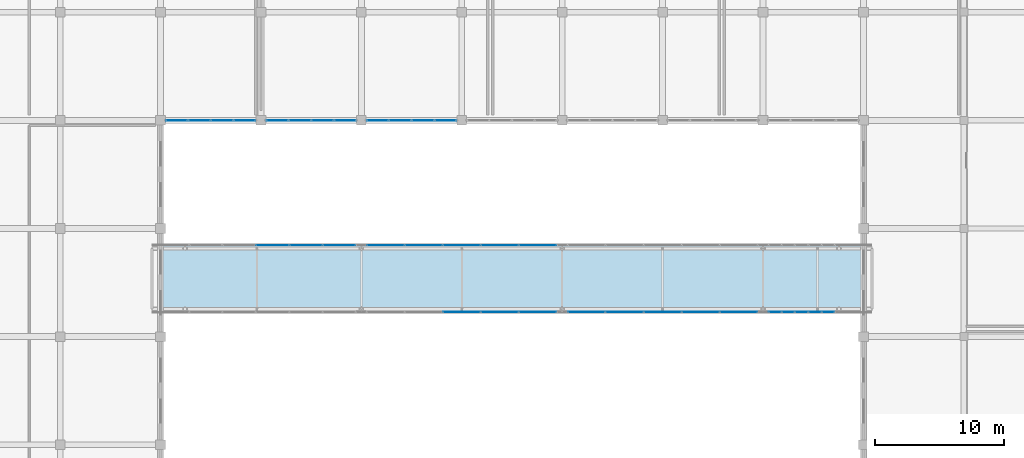
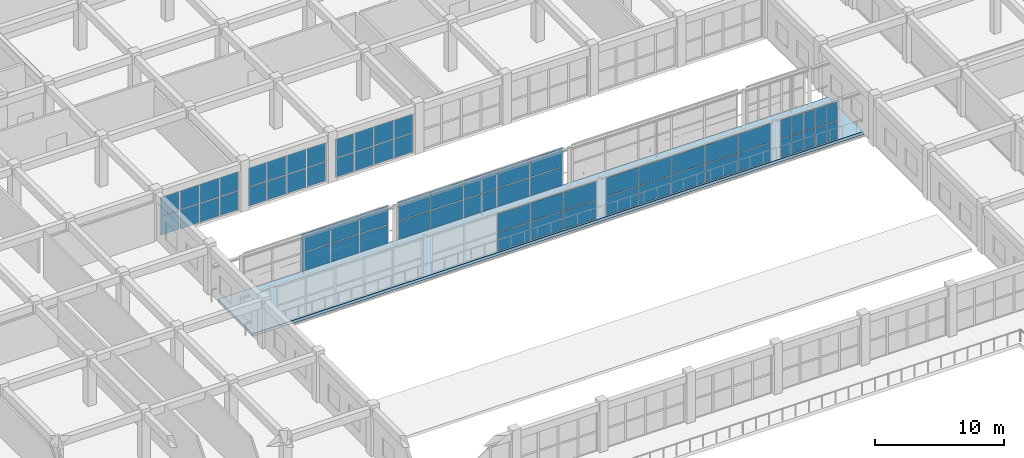
# One storey, part 137 of 167: 66 plates, 1 slab, 8 elements without a shape of their own.
"""IFC4 building model written with IfcOpenShell, lengths in metres."""

from ifc_helpers import new_model, si_unit, direction, frame, origin, origin_2d, place, context, subcontext, project, spatial, polyline, rectangle, outline, extrude, material, layer, layer_set, type_object, element, aggregate, save


model = new_model("IFC4")

# Units and contexts
model_context = context("Model", 3, precision=1e-05, world=origin(), true_north=direction((0.0, 1.0)))
body_context = subcontext(model_context, "Body", "Model", "MODEL_VIEW")
ifc_project = project(units=[si_unit("LENGTHUNIT", "METRE"), si_unit("AREAUNIT", "SQUARE_METRE"), si_unit("VOLUMEUNIT", "CUBIC_METRE"), si_unit("PLANEANGLEUNIT", "RADIAN"), si_unit("MASSUNIT", "GRAM", prefix="KILO")], contexts=[model_context])

# Site, building, storey
site_placement = place(None, origin())
site = spatial("IfcSite", under=ifc_project, at=site_placement, CompositionType="ELEMENT")
building_placement = place(site_placement, origin())
building = spatial("IfcBuilding", under=site, at=building_placement, Name="Zizhar Promenade General Hospital", CompositionType="ELEMENT")
storey_placement = place(building_placement, frame((0.0, 0.0, 9.60009765625)))
storey = spatial("IfcBuildingStorey", under=building, at=storey_placement, Name="L02", CompositionType="ELEMENT", Elevation=9.60009765625)

# Curtain wall, plates
ifc_material_1 = material(Name="Anodised aluminium 6063-T6 and low-E glass", Category="aluminium")
ifc_layer_1 = layer(ifc_material_1, 0.159912109375)
ifc_layer_set_1 = layer_set([ifc_layer_1], Name="Anodised aluminium 6063-T6 and low-E glass")
curtain_wall_type_1 = type_object("IfcCurtainWallType", Name="CW-DT-MOD1", PredefinedType="NOTDEFINED", material=ifc_layer_set_1)
curtain_wall_1_placement = place(storey_placement, origin())
curtain_wall_1 = element("IfcCurtainWall", 1, at=curtain_wall_1_placement, inside=storey, type_object=curtain_wall_type_1, Name="Garden Court North Surgical Glazing L02-9", PredefinedType="NOTDEFINED")
ifc_material_2 = material(Name="Low-E solar-control glass", Category="glass")
ifc_layer_2 = layer(ifc_material_2, 0.031982421875)
ifc_layer_set_2 = layer_set([ifc_layer_2], Name="Low-E solar-control glass")
plate_type = type_object("IfcPlateType", Name="CWP-GLZ-32", PredefinedType="CURTAIN_PANEL", material=ifc_layer_set_2)
plate_1_placement = place(storey_placement, frame((76.735107421875, 92.39990234375, 0.06005859375), z_axis=(0.0, 0.0, 1.0), x_axis=(-1.0, 0.0, 0.0)))
plate_1 = element("IfcPlate", 2, at=plate_1_placement, type_object=plate_type, Name="CW-07 panel 1.1", PredefinedType="CURTAIN_PANEL", context=body_context, shape_type="SweptSolid", body=[
    extrude(rectangle(XDim=1.64990234375, YDim=0.031982421875, at=origin_2d()), origin(), (0.0, 0.0, 1.0), 1.77490234375),
])
plate_2_placement = place(storey_placement, frame((76.735107421875, 92.39990234375, 1.89501953125), z_axis=(0.0, 0.0, 1.0), x_axis=(-1.0, 0.0, 0.0)))
plate_2 = element("IfcPlate", 3, at=plate_2_placement, type_object=plate_type, Name="CW-07 panel 1.2", PredefinedType="CURTAIN_PANEL", context=body_context, shape_type="SweptSolid", body=[
    extrude(rectangle(XDim=1.64990234375, YDim=0.031982421875, at=origin_2d()), origin(), (0.0, 0.0, 1.0), 1.77490234375),
])
plate_3_placement = place(storey_placement, frame((74.985107421875, 92.39990234375, 0.06005859375), z_axis=(0.0, 0.0, 1.0), x_axis=(-1.0, 0.0, 0.0)))
plate_3 = element("IfcPlate", 4, at=plate_3_placement, type_object=plate_type, Name="CW-07 panel 2.1", PredefinedType="CURTAIN_PANEL", context=body_context, shape_type="SweptSolid", body=[
    extrude(rectangle(XDim=1.68994140625, YDim=0.031982421875, at=origin_2d()), origin(), (0.0, 0.0, 1.0), 1.77490234375),
])
plate_4_placement = place(storey_placement, frame((74.985107421875, 92.39990234375, 1.89501953125), z_axis=(0.0, 0.0, 1.0), x_axis=(-1.0, 0.0, 0.0)))
plate_4 = element("IfcPlate", 5, at=plate_4_placement, type_object=plate_type, Name="CW-07 panel 2.2", PredefinedType="CURTAIN_PANEL", context=body_context, shape_type="SweptSolid", body=[
    extrude(rectangle(XDim=1.68994140625, YDim=0.031982421875, at=origin_2d()), origin(), (0.0, 0.0, 1.0), 1.77490234375),
])
plate_5_placement = place(storey_placement, frame((73.215087890625, 92.39990234375, 0.06005859375), z_axis=(0.0, 0.0, 1.0), x_axis=(-1.0, 0.0, 0.0)))
plate_5 = element("IfcPlate", 6, at=plate_5_placement, type_object=plate_type, Name="CW-07 panel 3.1", PredefinedType="CURTAIN_PANEL", context=body_context, shape_type="SweptSolid", body=[
    extrude(rectangle(XDim=1.68994140625, YDim=0.031982421875, at=origin_2d()), origin(), (0.0, 0.0, 1.0), 1.77490234375),
])
plate_6_placement = place(storey_placement, frame((73.215087890625, 92.39990234375, 1.89501953125), z_axis=(0.0, 0.0, 1.0), x_axis=(-1.0, 0.0, 0.0)))
plate_6 = element("IfcPlate", 7, at=plate_6_placement, type_object=plate_type, Name="CW-07 panel 3.2", PredefinedType="CURTAIN_PANEL", context=body_context, shape_type="SweptSolid", body=[
    extrude(rectangle(XDim=1.68994140625, YDim=0.031982421875, at=origin_2d()), origin(), (0.0, 0.0, 1.0), 1.77490234375),
])
plate_7_placement = place(storey_placement, frame((71.465087890625, 92.39990234375, 0.06005859375), z_axis=(0.0, 0.0, 1.0), x_axis=(-1.0, 0.0, 0.0)))
plate_7 = element("IfcPlate", 8, at=plate_7_placement, type_object=plate_type, Name="CW-07 panel 4.1", PredefinedType="CURTAIN_PANEL", context=body_context, shape_type="SweptSolid", body=[
    extrude(rectangle(XDim=1.64990234375, YDim=0.031982421875, at=origin_2d()), origin(), (0.0, 0.0, 1.0), 1.77490234375),
])
plate_8_placement = place(storey_placement, frame((71.465087890625, 92.39990234375, 1.89501953125), z_axis=(0.0, 0.0, 1.0), x_axis=(-1.0, 0.0, 0.0)))
plate_8 = element("IfcPlate", 9, at=plate_8_placement, type_object=plate_type, Name="CW-07 panel 4.2", PredefinedType="CURTAIN_PANEL", context=body_context, shape_type="SweptSolid", body=[
    extrude(rectangle(XDim=1.64990234375, YDim=0.031982421875, at=origin_2d()), origin(), (0.0, 0.0, 1.0), 1.77490234375),
])
aggregate(curtain_wall_1, [plate_1, plate_2, plate_3, plate_4, plate_5, plate_6, plate_7, plate_8])

curtain_wall_2_placement = place(storey_placement, origin())
curtain_wall_2 = element("IfcCurtainWall", 10, at=curtain_wall_2_placement, inside=storey, type_object=curtain_wall_type_1, Name="Garden Court North Surgical Glazing L02-10", PredefinedType="NOTDEFINED")
plate_9_placement = place(storey_placement, frame((84.534912109375, 92.39990234375, 0.06005859375), z_axis=(0.0, 0.0, 1.0), x_axis=(-1.0, 0.0, 0.0)))
plate_9 = element("IfcPlate", 11, at=plate_9_placement, type_object=plate_type, Name="CW-07 panel 1.1", PredefinedType="CURTAIN_PANEL", context=body_context, shape_type="SweptSolid", body=[
    extrude(rectangle(XDim=1.64990234375, YDim=0.031982421875, at=origin_2d()), origin(), (0.0, 0.0, 1.0), 1.77490234375),
])
plate_10_placement = place(storey_placement, frame((84.534912109375, 92.39990234375, 1.89501953125), z_axis=(0.0, 0.0, 1.0), x_axis=(-1.0, 0.0, 0.0)))
plate_10 = element("IfcPlate", 12, at=plate_10_placement, type_object=plate_type, Name="CW-07 panel 1.2", PredefinedType="CURTAIN_PANEL", context=body_context, shape_type="SweptSolid", body=[
    extrude(rectangle(XDim=1.64990234375, YDim=0.031982421875, at=origin_2d()), origin(), (0.0, 0.0, 1.0), 1.77490234375),
])
plate_11_placement = place(storey_placement, frame((82.784912109375, 92.39990234375, 0.06005859375), z_axis=(0.0, 0.0, 1.0), x_axis=(-1.0, 0.0, 0.0)))
plate_11 = element("IfcPlate", 13, at=plate_11_placement, type_object=plate_type, Name="CW-07 panel 2.1", PredefinedType="CURTAIN_PANEL", context=body_context, shape_type="SweptSolid", body=[
    extrude(rectangle(XDim=1.68994140625, YDim=0.031982421875, at=origin_2d()), origin(), (0.0, 0.0, 1.0), 1.77490234375),
])
plate_12_placement = place(storey_placement, frame((82.784912109375, 92.39990234375, 1.89501953125), z_axis=(0.0, 0.0, 1.0), x_axis=(-1.0, 0.0, 0.0)))
plate_12 = element("IfcPlate", 14, at=plate_12_placement, type_object=plate_type, Name="CW-07 panel 2.2", PredefinedType="CURTAIN_PANEL", context=body_context, shape_type="SweptSolid", body=[
    extrude(rectangle(XDim=1.68994140625, YDim=0.031982421875, at=origin_2d()), origin(), (0.0, 0.0, 1.0), 1.77490234375),
])
plate_13_placement = place(storey_placement, frame((81.014892578125, 92.39990234375, 0.06005859375), z_axis=(0.0, 0.0, 1.0), x_axis=(-1.0, 0.0, 0.0)))
plate_13 = element("IfcPlate", 15, at=plate_13_placement, type_object=plate_type, Name="CW-07 panel 3.1", PredefinedType="CURTAIN_PANEL", context=body_context, shape_type="SweptSolid", body=[
    extrude(rectangle(XDim=1.68994140625, YDim=0.031982421875, at=origin_2d()), origin(), (0.0, 0.0, 1.0), 1.77490234375),
])
plate_14_placement = place(storey_placement, frame((81.014892578125, 92.39990234375, 1.89501953125), z_axis=(0.0, 0.0, 1.0), x_axis=(-1.0, 0.0, 0.0)))
plate_14 = element("IfcPlate", 16, at=plate_14_placement, type_object=plate_type, Name="CW-07 panel 3.2", PredefinedType="CURTAIN_PANEL", context=body_context, shape_type="SweptSolid", body=[
    extrude(rectangle(XDim=1.68994140625, YDim=0.031982421875, at=origin_2d()), origin(), (0.0, 0.0, 1.0), 1.77490234375),
])
plate_15_placement = place(storey_placement, frame((79.264892578125, 92.39990234375, 0.06005859375), z_axis=(0.0, 0.0, 1.0), x_axis=(-1.0, 0.0, 0.0)))
plate_15 = element("IfcPlate", 17, at=plate_15_placement, type_object=plate_type, Name="CW-07 panel 4.1", PredefinedType="CURTAIN_PANEL", context=body_context, shape_type="SweptSolid", body=[
    extrude(rectangle(XDim=1.64990234375, YDim=0.031982421875, at=origin_2d()), origin(), (0.0, 0.0, 1.0), 1.77490234375),
])
plate_16_placement = place(storey_placement, frame((79.264892578125, 92.39990234375, 1.89501953125), z_axis=(0.0, 0.0, 1.0), x_axis=(-1.0, 0.0, 0.0)))
plate_16 = element("IfcPlate", 18, at=plate_16_placement, type_object=plate_type, Name="CW-07 panel 4.2", PredefinedType="CURTAIN_PANEL", context=body_context, shape_type="SweptSolid", body=[
    extrude(rectangle(XDim=1.64990234375, YDim=0.031982421875, at=origin_2d()), origin(), (0.0, 0.0, 1.0), 1.77490234375),
])
aggregate(curtain_wall_2, [plate_9, plate_10, plate_11, plate_12, plate_13, plate_14, plate_15, plate_16])

curtain_wall_3_placement = place(storey_placement, origin())
curtain_wall_3 = element("IfcCurtainWall", 19, at=curtain_wall_3_placement, inside=storey, type_object=curtain_wall_type_1, Name="Garden Court North Surgical Glazing L02-11", PredefinedType="NOTDEFINED")
plate_17_placement = place(storey_placement, frame((92.3349609375, 92.39990234375, 0.06005859375), z_axis=(0.0, 0.0, 1.0), x_axis=(-1.0, 0.0, 0.0)))
plate_17 = element("IfcPlate", 20, at=plate_17_placement, type_object=plate_type, Name="CW-07 panel 1.1", PredefinedType="CURTAIN_PANEL", context=body_context, shape_type="SweptSolid", body=[
    extrude(rectangle(XDim=1.64990234375, YDim=0.031982421875, at=origin_2d()), origin(), (0.0, 0.0, 1.0), 1.77490234375),
])
plate_18_placement = place(storey_placement, frame((92.3349609375, 92.39990234375, 1.89501953125), z_axis=(0.0, 0.0, 1.0), x_axis=(-1.0, 0.0, 0.0)))
plate_18 = element("IfcPlate", 21, at=plate_18_placement, type_object=plate_type, Name="CW-07 panel 1.2", PredefinedType="CURTAIN_PANEL", context=body_context, shape_type="SweptSolid", body=[
    extrude(rectangle(XDim=1.64990234375, YDim=0.031982421875, at=origin_2d()), origin(), (0.0, 0.0, 1.0), 1.77490234375),
])
plate_19_placement = place(storey_placement, frame((90.5849609375, 92.39990234375, 0.06005859375), z_axis=(0.0, 0.0, 1.0), x_axis=(-1.0, 0.0, 0.0)))
plate_19 = element("IfcPlate", 22, at=plate_19_placement, type_object=plate_type, Name="CW-07 panel 2.1", PredefinedType="CURTAIN_PANEL", context=body_context, shape_type="SweptSolid", body=[
    extrude(rectangle(XDim=1.68994140625, YDim=0.031982421875, at=origin_2d()), origin(), (0.0, 0.0, 1.0), 1.77490234375),
])
plate_20_placement = place(storey_placement, frame((90.5849609375, 92.39990234375, 1.89501953125), z_axis=(0.0, 0.0, 1.0), x_axis=(-1.0, 0.0, 0.0)))
plate_20 = element("IfcPlate", 23, at=plate_20_placement, type_object=plate_type, Name="CW-07 panel 2.2", PredefinedType="CURTAIN_PANEL", context=body_context, shape_type="SweptSolid", body=[
    extrude(rectangle(XDim=1.68994140625, YDim=0.031982421875, at=origin_2d()), origin(), (0.0, 0.0, 1.0), 1.77490234375),
])
plate_21_placement = place(storey_placement, frame((88.81494140625, 92.39990234375, 0.06005859375), z_axis=(0.0, 0.0, 1.0), x_axis=(-1.0, 0.0, 0.0)))
plate_21 = element("IfcPlate", 24, at=plate_21_placement, type_object=plate_type, Name="CW-07 panel 3.1", PredefinedType="CURTAIN_PANEL", context=body_context, shape_type="SweptSolid", body=[
    extrude(rectangle(XDim=1.68994140625, YDim=0.031982421875, at=origin_2d()), origin(), (0.0, 0.0, 1.0), 1.77490234375),
])
plate_22_placement = place(storey_placement, frame((88.81494140625, 92.39990234375, 1.89501953125), z_axis=(0.0, 0.0, 1.0), x_axis=(-1.0, 0.0, 0.0)))
plate_22 = element("IfcPlate", 25, at=plate_22_placement, type_object=plate_type, Name="CW-07 panel 3.2", PredefinedType="CURTAIN_PANEL", context=body_context, shape_type="SweptSolid", body=[
    extrude(rectangle(XDim=1.68994140625, YDim=0.031982421875, at=origin_2d()), origin(), (0.0, 0.0, 1.0), 1.77490234375),
])
plate_23_placement = place(storey_placement, frame((87.06494140625, 92.39990234375, 0.06005859375), z_axis=(0.0, 0.0, 1.0), x_axis=(-1.0, 0.0, 0.0)))
plate_23 = element("IfcPlate", 26, at=plate_23_placement, type_object=plate_type, Name="CW-07 panel 4.1", PredefinedType="CURTAIN_PANEL", context=body_context, shape_type="SweptSolid", body=[
    extrude(rectangle(XDim=1.64990234375, YDim=0.031982421875, at=origin_2d()), origin(), (0.0, 0.0, 1.0), 1.77490234375),
])
plate_24_placement = place(storey_placement, frame((87.06494140625, 92.39990234375, 1.89501953125), z_axis=(0.0, 0.0, 1.0), x_axis=(-1.0, 0.0, 0.0)))
plate_24 = element("IfcPlate", 27, at=plate_24_placement, type_object=plate_type, Name="CW-07 panel 4.2", PredefinedType="CURTAIN_PANEL", context=body_context, shape_type="SweptSolid", body=[
    extrude(rectangle(XDim=1.64990234375, YDim=0.031982421875, at=origin_2d()), origin(), (0.0, 0.0, 1.0), 1.77490234375),
])
aggregate(curtain_wall_3, [plate_17, plate_18, plate_19, plate_20, plate_21, plate_22, plate_23, plate_24])

ifc_material_3 = material(Name="Anodised aluminium 6063-T6 and low-E glass", Category="aluminium")
ifc_layer_3 = layer(ifc_material_3, 0.159912109375)
ifc_layer_set_3 = layer_set([ifc_layer_3], Name="Anodised aluminium 6063-T6 and low-E glass")
curtain_wall_type_2 = type_object("IfcCurtainWallType", Name="CW-SKY-GLZ", PredefinedType="NOTDEFINED", material=ifc_layer_set_3)
curtain_wall_4_placement = place(storey_placement, origin())
curtain_wall_4 = element("IfcCurtainWall", 28, at=curtain_wall_4_placement, inside=storey, type_object=curtain_wall_type_2, Name="Courtyard Surgical-Clinic Skybridge Level L02 North Glazing 1", PredefinedType="NOTDEFINED")
plate_25_placement = place(storey_placement, frame((78.89990234375, 82.699951171875, 0.059814453125), z_axis=(0.0, 0.0, 1.0), x_axis=(1.0, 0.0, 0.0)))
plate_25 = element("IfcPlate", 29, at=plate_25_placement, type_object=plate_type, Name="CW-15 panel 3.1", PredefinedType="CURTAIN_PANEL", context=body_context, shape_type="SweptSolid", body=[
    extrude(rectangle(XDim=2.5400390625, YDim=0.031982421875, at=origin_2d()), origin(), (0.0, 0.0, 1.0), 1.72998046875),
])
plate_26_placement = place(storey_placement, frame((78.89990234375, 82.699951171875, 1.849853515625), z_axis=(0.0, 0.0, 1.0), x_axis=(1.0, 0.0, 0.0)))
plate_26 = element("IfcPlate", 30, at=plate_26_placement, type_object=plate_type, Name="CW-15 panel 3.2", PredefinedType="CURTAIN_PANEL", context=body_context, shape_type="SweptSolid", body=[
    extrude(rectangle(XDim=2.5400390625, YDim=0.031982421875, at=origin_2d()), origin(), (0.0, 0.0, 1.0), 1.72998046875),
])
plate_27_placement = place(storey_placement, frame((81.5, 82.699951171875, 0.059814453125), z_axis=(0.0, 0.0, 1.0), x_axis=(1.0, 0.0, 0.0)))
plate_27 = element("IfcPlate", 31, at=plate_27_placement, type_object=plate_type, Name="CW-15 panel 4.1", PredefinedType="CURTAIN_PANEL", context=body_context, shape_type="SweptSolid", body=[
    extrude(rectangle(XDim=2.5400390625, YDim=0.031982421875, at=origin_2d()), origin(), (0.0, 0.0, 1.0), 1.72998046875),
])
plate_28_placement = place(storey_placement, frame((81.5, 82.699951171875, 1.849853515625), z_axis=(0.0, 0.0, 1.0), x_axis=(1.0, 0.0, 0.0)))
plate_28 = element("IfcPlate", 32, at=plate_28_placement, type_object=plate_type, Name="CW-15 panel 4.2", PredefinedType="CURTAIN_PANEL", context=body_context, shape_type="SweptSolid", body=[
    extrude(rectangle(XDim=2.5400390625, YDim=0.031982421875, at=origin_2d()), origin(), (0.0, 0.0, 1.0), 1.72998046875),
])
plate_29_placement = place(storey_placement, frame((84.0849609375, 82.699951171875, 0.059814453125), z_axis=(0.0, 0.0, 1.0), x_axis=(1.0, 0.0, 0.0)))
plate_29 = element("IfcPlate", 33, at=plate_29_placement, type_object=plate_type, Name="CW-15 panel 5.1", PredefinedType="CURTAIN_PANEL", context=body_context, shape_type="SweptSolid", body=[
    extrude(rectangle(XDim=2.510009765625, YDim=0.031982421875, at=origin_2d()), origin(), (0.0, 0.0, 1.0), 1.72998046875),
])
plate_30_placement = place(storey_placement, frame((84.0849609375, 82.699951171875, 1.849853515625), z_axis=(0.0, 0.0, 1.0), x_axis=(1.0, 0.0, 0.0)))
plate_30 = element("IfcPlate", 34, at=plate_30_placement, type_object=plate_type, Name="CW-15 panel 5.2", PredefinedType="CURTAIN_PANEL", context=body_context, shape_type="SweptSolid", body=[
    extrude(rectangle(XDim=2.510009765625, YDim=0.031982421875, at=origin_2d()), origin(), (0.0, 0.0, 1.0), 1.72998046875),
])
aggregate(curtain_wall_4, [plate_25, plate_26, plate_27, plate_28, plate_29, plate_30])

curtain_wall_5_placement = place(storey_placement, origin())
curtain_wall_5 = element("IfcCurtainWall", 35, at=curtain_wall_5_placement, inside=storey, type_object=curtain_wall_type_2, Name="Courtyard Surgical-Clinic Skybridge Level L02 South Glazing 2", PredefinedType="NOTDEFINED")
plate_31_placement = place(storey_placement, frame((99.5048828125, 77.5, 0.059814453125), z_axis=(0.0, 0.0, 1.0), x_axis=(-1.0, 0.0, 0.0)))
plate_31 = element("IfcPlate", 36, at=plate_31_placement, type_object=plate_type, Name="CW-15 panel 1.1", PredefinedType="CURTAIN_PANEL", context=body_context, shape_type="SweptSolid", body=[
    extrude(rectangle(XDim=2.8701171875, YDim=0.031982421875, at=origin_2d()), origin(), (0.0, 0.0, 1.0), 1.72998046875),
])
plate_32_placement = place(storey_placement, frame((99.5048828125, 77.5, 1.849853515625), z_axis=(0.0, 0.0, 1.0), x_axis=(-1.0, 0.0, 0.0)))
plate_32 = element("IfcPlate", 37, at=plate_32_placement, type_object=plate_type, Name="CW-15 panel 1.2", PredefinedType="CURTAIN_PANEL", context=body_context, shape_type="SweptSolid", body=[
    extrude(rectangle(XDim=2.8701171875, YDim=0.031982421875, at=origin_2d()), origin(), (0.0, 0.0, 1.0), 1.72998046875),
])
plate_33_placement = place(storey_placement, frame((96.56005859375, 77.5, 0.059814453125), z_axis=(0.0, 0.0, 1.0), x_axis=(-1.0, 0.0, 0.0)))
plate_33 = element("IfcPlate", 38, at=plate_33_placement, type_object=plate_type, Name="CW-15 panel 2.1", PredefinedType="CURTAIN_PANEL", context=body_context, shape_type="SweptSolid", body=[
    extrude(rectangle(XDim=2.89990234375, YDim=0.031982421875, at=origin_2d()), origin(), (0.0, 0.0, 1.0), 1.72998046875),
])
plate_34_placement = place(storey_placement, frame((96.56005859375, 77.5, 1.849853515625), z_axis=(0.0, 0.0, 1.0), x_axis=(-1.0, 0.0, 0.0)))
plate_34 = element("IfcPlate", 39, at=plate_34_placement, type_object=plate_type, Name="CW-15 panel 2.2", PredefinedType="CURTAIN_PANEL", context=body_context, shape_type="SweptSolid", body=[
    extrude(rectangle(XDim=2.89990234375, YDim=0.031982421875, at=origin_2d()), origin(), (0.0, 0.0, 1.0), 1.72998046875),
])
plate_35_placement = place(storey_placement, frame((93.60009765625, 77.5, 0.059814453125), z_axis=(0.0, 0.0, 1.0), x_axis=(-1.0, 0.0, 0.0)))
plate_35 = element("IfcPlate", 40, at=plate_35_placement, type_object=plate_type, Name="CW-15 panel 3.1", PredefinedType="CURTAIN_PANEL", context=body_context, shape_type="SweptSolid", body=[
    extrude(rectangle(XDim=2.89990234375, YDim=0.031982421875, at=origin_2d()), origin(), (0.0, 0.0, 1.0), 1.72998046875),
])
plate_36_placement = place(storey_placement, frame((93.60009765625, 77.5, 1.849853515625), z_axis=(0.0, 0.0, 1.0), x_axis=(-1.0, 0.0, 0.0)))
plate_36 = element("IfcPlate", 41, at=plate_36_placement, type_object=plate_type, Name="CW-15 panel 3.2", PredefinedType="CURTAIN_PANEL", context=body_context, shape_type="SweptSolid", body=[
    extrude(rectangle(XDim=2.89990234375, YDim=0.031982421875, at=origin_2d()), origin(), (0.0, 0.0, 1.0), 1.72998046875),
])
aggregate(curtain_wall_5, [plate_31, plate_32, plate_33, plate_34, plate_35, plate_36])

curtain_wall_6_placement = place(storey_placement, origin())
curtain_wall_6 = element("IfcCurtainWall", 42, at=curtain_wall_6_placement, inside=storey, type_object=curtain_wall_type_2, Name="Courtyard Surgical-Clinic Skybridge Level L02 North Glazing 2", PredefinedType="NOTDEFINED")
plate_37_placement = place(storey_placement, frame((87.695068359375, 82.699951171875, 0.059814453125), z_axis=(0.0, 0.0, 1.0), x_axis=(1.0, 0.0, 0.0)))
plate_37 = element("IfcPlate", 43, at=plate_37_placement, type_object=plate_type, Name="CW-15 panel 1.1", PredefinedType="CURTAIN_PANEL", context=body_context, shape_type="SweptSolid", body=[
    extrude(rectangle(XDim=2.8701171875, YDim=0.031982421875, at=origin_2d()), origin(), (0.0, 0.0, 1.0), 1.72998046875),
])
plate_38_placement = place(storey_placement, frame((87.695068359375, 82.699951171875, 1.849853515625), z_axis=(0.0, 0.0, 1.0), x_axis=(1.0, 0.0, 0.0)))
plate_38 = element("IfcPlate", 44, at=plate_38_placement, type_object=plate_type, Name="CW-15 panel 1.2", PredefinedType="CURTAIN_PANEL", context=body_context, shape_type="SweptSolid", body=[
    extrude(rectangle(XDim=2.8701171875, YDim=0.031982421875, at=origin_2d()), origin(), (0.0, 0.0, 1.0), 1.72998046875),
])
plate_39_placement = place(storey_placement, frame((90.639892578125, 82.699951171875, 0.059814453125), z_axis=(0.0, 0.0, 1.0), x_axis=(1.0, 0.0, 0.0)))
plate_39 = element("IfcPlate", 45, at=plate_39_placement, type_object=plate_type, Name="CW-15 panel 2.1", PredefinedType="CURTAIN_PANEL", context=body_context, shape_type="SweptSolid", body=[
    extrude(rectangle(XDim=2.89990234375, YDim=0.031982421875, at=origin_2d()), origin(), (0.0, 0.0, 1.0), 1.72998046875),
])
plate_40_placement = place(storey_placement, frame((90.639892578125, 82.699951171875, 1.849853515625), z_axis=(0.0, 0.0, 1.0), x_axis=(1.0, 0.0, 0.0)))
plate_40 = element("IfcPlate", 46, at=plate_40_placement, type_object=plate_type, Name="CW-15 panel 2.2", PredefinedType="CURTAIN_PANEL", context=body_context, shape_type="SweptSolid", body=[
    extrude(rectangle(XDim=2.89990234375, YDim=0.031982421875, at=origin_2d()), origin(), (0.0, 0.0, 1.0), 1.72998046875),
])
plate_41_placement = place(storey_placement, frame((93.60009765625, 82.699951171875, 0.059814453125), z_axis=(0.0, 0.0, 1.0), x_axis=(1.0, 0.0, 0.0)))
plate_41 = element("IfcPlate", 47, at=plate_41_placement, type_object=plate_type, Name="CW-15 panel 3.1", PredefinedType="CURTAIN_PANEL", context=body_context, shape_type="SweptSolid", body=[
    extrude(rectangle(XDim=2.89990234375, YDim=0.031982421875, at=origin_2d()), origin(), (0.0, 0.0, 1.0), 1.72998046875),
])
plate_42_placement = place(storey_placement, frame((93.60009765625, 82.699951171875, 1.849853515625), z_axis=(0.0, 0.0, 1.0), x_axis=(1.0, 0.0, 0.0)))
plate_42 = element("IfcPlate", 48, at=plate_42_placement, type_object=plate_type, Name="CW-15 panel 3.2", PredefinedType="CURTAIN_PANEL", context=body_context, shape_type="SweptSolid", body=[
    extrude(rectangle(XDim=2.89990234375, YDim=0.031982421875, at=origin_2d()), origin(), (0.0, 0.0, 1.0), 1.72998046875),
])
plate_43_placement = place(storey_placement, frame((96.56005859375, 82.699951171875, 0.059814453125), z_axis=(0.0, 0.0, 1.0), x_axis=(1.0, 0.0, 0.0)))
plate_43 = element("IfcPlate", 49, at=plate_43_placement, type_object=plate_type, Name="CW-15 panel 4.1", PredefinedType="CURTAIN_PANEL", context=body_context, shape_type="SweptSolid", body=[
    extrude(rectangle(XDim=2.89990234375, YDim=0.031982421875, at=origin_2d()), origin(), (0.0, 0.0, 1.0), 1.72998046875),
])
plate_44_placement = place(storey_placement, frame((96.56005859375, 82.699951171875, 1.849853515625), z_axis=(0.0, 0.0, 1.0), x_axis=(1.0, 0.0, 0.0)))
plate_44 = element("IfcPlate", 50, at=plate_44_placement, type_object=plate_type, Name="CW-15 panel 4.2", PredefinedType="CURTAIN_PANEL", context=body_context, shape_type="SweptSolid", body=[
    extrude(rectangle(XDim=2.89990234375, YDim=0.031982421875, at=origin_2d()), origin(), (0.0, 0.0, 1.0), 1.72998046875),
])
plate_45_placement = place(storey_placement, frame((99.5048828125, 82.699951171875, 0.059814453125), z_axis=(0.0, 0.0, 1.0), x_axis=(1.0, 0.0, 0.0)))
plate_45 = element("IfcPlate", 51, at=plate_45_placement, type_object=plate_type, Name="CW-15 panel 5.1", PredefinedType="CURTAIN_PANEL", context=body_context, shape_type="SweptSolid", body=[
    extrude(rectangle(XDim=2.8701171875, YDim=0.031982421875, at=origin_2d()), origin(), (0.0, 0.0, 1.0), 1.72998046875),
])
plate_46_placement = place(storey_placement, frame((99.5048828125, 82.699951171875, 1.849853515625), z_axis=(0.0, 0.0, 1.0), x_axis=(1.0, 0.0, 0.0)))
plate_46 = element("IfcPlate", 52, at=plate_46_placement, type_object=plate_type, Name="CW-15 panel 5.2", PredefinedType="CURTAIN_PANEL", context=body_context, shape_type="SweptSolid", body=[
    extrude(rectangle(XDim=2.8701171875, YDim=0.031982421875, at=origin_2d()), origin(), (0.0, 0.0, 1.0), 1.72998046875),
])
aggregate(curtain_wall_6, [plate_37, plate_38, plate_39, plate_40, plate_41, plate_42, plate_43, plate_44, plate_45, plate_46])

curtain_wall_7_placement = place(storey_placement, origin())
curtain_wall_7 = element("IfcCurtainWall", 53, at=curtain_wall_7_placement, inside=storey, type_object=curtain_wall_type_2, Name="Courtyard Surgical-Clinic Skybridge Level L02 South Glazing 3", PredefinedType="NOTDEFINED")
plate_47_placement = place(storey_placement, frame((115.10498046875, 77.5, 0.059814453125), z_axis=(0.0, 0.0, 1.0), x_axis=(-1.0, 0.0, 0.0)))
plate_47 = element("IfcPlate", 54, at=plate_47_placement, type_object=plate_type, Name="CW-15 panel 1.1", PredefinedType="CURTAIN_PANEL", context=body_context, shape_type="SweptSolid", body=[
    extrude(rectangle(XDim=2.8701171875, YDim=0.031982421875, at=origin_2d()), origin(), (0.0, 0.0, 1.0), 1.72998046875),
])
plate_48_placement = place(storey_placement, frame((115.10498046875, 77.5, 1.849853515625), z_axis=(0.0, 0.0, 1.0), x_axis=(-1.0, 0.0, 0.0)))
plate_48 = element("IfcPlate", 55, at=plate_48_placement, type_object=plate_type, Name="CW-15 panel 1.2", PredefinedType="CURTAIN_PANEL", context=body_context, shape_type="SweptSolid", body=[
    extrude(rectangle(XDim=2.8701171875, YDim=0.031982421875, at=origin_2d()), origin(), (0.0, 0.0, 1.0), 1.72998046875),
])
plate_49_placement = place(storey_placement, frame((112.159912109375, 77.5, 0.059814453125), z_axis=(0.0, 0.0, 1.0), x_axis=(-1.0, 0.0, 0.0)))
plate_49 = element("IfcPlate", 56, at=plate_49_placement, type_object=plate_type, Name="CW-15 panel 2.1", PredefinedType="CURTAIN_PANEL", context=body_context, shape_type="SweptSolid", body=[
    extrude(rectangle(XDim=2.89990234375, YDim=0.031982421875, at=origin_2d()), origin(), (0.0, 0.0, 1.0), 1.72998046875),
])
plate_50_placement = place(storey_placement, frame((112.159912109375, 77.5, 1.849853515625), z_axis=(0.0, 0.0, 1.0), x_axis=(-1.0, 0.0, 0.0)))
plate_50 = element("IfcPlate", 57, at=plate_50_placement, type_object=plate_type, Name="CW-15 panel 2.2", PredefinedType="CURTAIN_PANEL", context=body_context, shape_type="SweptSolid", body=[
    extrude(rectangle(XDim=2.89990234375, YDim=0.031982421875, at=origin_2d()), origin(), (0.0, 0.0, 1.0), 1.72998046875),
])
plate_51_placement = place(storey_placement, frame((109.199951171875, 77.5, 0.059814453125), z_axis=(0.0, 0.0, 1.0), x_axis=(-1.0, 0.0, 0.0)))
plate_51 = element("IfcPlate", 58, at=plate_51_placement, type_object=plate_type, Name="CW-15 panel 3.1", PredefinedType="CURTAIN_PANEL", context=body_context, shape_type="SweptSolid", body=[
    extrude(rectangle(XDim=2.89990234375, YDim=0.031982421875, at=origin_2d()), origin(), (0.0, 0.0, 1.0), 1.72998046875),
])
plate_52_placement = place(storey_placement, frame((109.199951171875, 77.5, 1.849853515625), z_axis=(0.0, 0.0, 1.0), x_axis=(-1.0, 0.0, 0.0)))
plate_52 = element("IfcPlate", 59, at=plate_52_placement, type_object=plate_type, Name="CW-15 panel 3.2", PredefinedType="CURTAIN_PANEL", context=body_context, shape_type="SweptSolid", body=[
    extrude(rectangle(XDim=2.89990234375, YDim=0.031982421875, at=origin_2d()), origin(), (0.0, 0.0, 1.0), 1.72998046875),
])
plate_53_placement = place(storey_placement, frame((106.239990234375, 77.5, 0.059814453125), z_axis=(0.0, 0.0, 1.0), x_axis=(-1.0, 0.0, 0.0)))
plate_53 = element("IfcPlate", 60, at=plate_53_placement, type_object=plate_type, Name="CW-15 panel 4.1", PredefinedType="CURTAIN_PANEL", context=body_context, shape_type="SweptSolid", body=[
    extrude(rectangle(XDim=2.89990234375, YDim=0.031982421875, at=origin_2d()), origin(), (0.0, 0.0, 1.0), 1.72998046875),
])
plate_54_placement = place(storey_placement, frame((106.239990234375, 77.5, 1.849853515625), z_axis=(0.0, 0.0, 1.0), x_axis=(-1.0, 0.0, 0.0)))
plate_54 = element("IfcPlate", 61, at=plate_54_placement, type_object=plate_type, Name="CW-15 panel 4.2", PredefinedType="CURTAIN_PANEL", context=body_context, shape_type="SweptSolid", body=[
    extrude(rectangle(XDim=2.89990234375, YDim=0.031982421875, at=origin_2d()), origin(), (0.0, 0.0, 1.0), 1.72998046875),
])
plate_55_placement = place(storey_placement, frame((103.294921875, 77.5, 0.059814453125), z_axis=(0.0, 0.0, 1.0), x_axis=(-1.0, 0.0, 0.0)))
plate_55 = element("IfcPlate", 62, at=plate_55_placement, type_object=plate_type, Name="CW-15 panel 5.1", PredefinedType="CURTAIN_PANEL", context=body_context, shape_type="SweptSolid", body=[
    extrude(rectangle(XDim=2.8701171875, YDim=0.031982421875, at=origin_2d()), origin(), (0.0, 0.0, 1.0), 1.72998046875),
])
plate_56_placement = place(storey_placement, frame((103.294921875, 77.5, 1.849853515625), z_axis=(0.0, 0.0, 1.0), x_axis=(-1.0, 0.0, 0.0)))
plate_56 = element("IfcPlate", 63, at=plate_56_placement, type_object=plate_type, Name="CW-15 panel 5.2", PredefinedType="CURTAIN_PANEL", context=body_context, shape_type="SweptSolid", body=[
    extrude(rectangle(XDim=2.8701171875, YDim=0.031982421875, at=origin_2d()), origin(), (0.0, 0.0, 1.0), 1.72998046875),
])
aggregate(curtain_wall_7, [plate_47, plate_48, plate_49, plate_50, plate_51, plate_52, plate_53, plate_54, plate_55, plate_56])

curtain_wall_8_placement = place(storey_placement, origin())
curtain_wall_8 = element("IfcCurtainWall", 64, at=curtain_wall_8_placement, inside=storey, type_object=curtain_wall_type_2, Name="Courtyard Surgical-Clinic Skybridge Level L02 South Glazing 4", PredefinedType="NOTDEFINED")
plate_57_placement = place(storey_placement, frame((122.06494140625, 77.5, 0.059814453125), z_axis=(0.0, 0.0, 1.0), x_axis=(-1.0, 0.0, 0.0)))
plate_57 = element("IfcPlate", 65, at=plate_57_placement, type_object=plate_type, Name="CW-15 panel 1.1", PredefinedType="CURTAIN_PANEL", context=body_context, shape_type="SweptSolid", body=[
    extrude(rectangle(XDim=0.949951171875, YDim=0.031982421875, at=origin_2d()), origin(), (0.0, 0.0, 1.0), 1.72998046875),
])
plate_58_placement = place(storey_placement, frame((122.06494140625, 77.5, 1.849853515625), z_axis=(0.0, 0.0, 1.0), x_axis=(-1.0, 0.0, 0.0)))
plate_58 = element("IfcPlate", 66, at=plate_58_placement, type_object=plate_type, Name="CW-15 panel 1.2", PredefinedType="CURTAIN_PANEL", context=body_context, shape_type="SweptSolid", body=[
    extrude(rectangle(XDim=0.949951171875, YDim=0.031982421875, at=origin_2d()), origin(), (0.0, 0.0, 1.0), 1.72998046875),
])
plate_59_placement = place(storey_placement, frame((121.0400390625, 77.5, 0.059814453125), z_axis=(0.0, 0.0, 1.0), x_axis=(-1.0, 0.0, 0.0)))
plate_59 = element("IfcPlate", 67, at=plate_59_placement, type_object=plate_type, Name="CW-15 panel 2.1", PredefinedType="CURTAIN_PANEL", context=body_context, shape_type="SweptSolid", body=[
    extrude(rectangle(XDim=0.97998046875, YDim=0.031982421875, at=origin_2d()), origin(), (0.0, 0.0, 1.0), 1.72998046875),
])
plate_60_placement = place(storey_placement, frame((121.0400390625, 77.5, 1.849853515625), z_axis=(0.0, 0.0, 1.0), x_axis=(-1.0, 0.0, 0.0)))
plate_60 = element("IfcPlate", 68, at=plate_60_placement, type_object=plate_type, Name="CW-15 panel 2.2", PredefinedType="CURTAIN_PANEL", context=body_context, shape_type="SweptSolid", body=[
    extrude(rectangle(XDim=0.97998046875, YDim=0.031982421875, at=origin_2d()), origin(), (0.0, 0.0, 1.0), 1.72998046875),
])
plate_61_placement = place(storey_placement, frame((120.0, 77.5, 0.059814453125), z_axis=(0.0, 0.0, 1.0), x_axis=(-1.0, 0.0, 0.0)))
plate_61 = element("IfcPlate", 69, at=plate_61_placement, type_object=plate_type, Name="CW-15 panel 3.1", PredefinedType="CURTAIN_PANEL", context=body_context, shape_type="SweptSolid", body=[
    extrude(rectangle(XDim=0.97998046875, YDim=0.031982421875, at=origin_2d()), origin(), (0.0, 0.0, 1.0), 1.72998046875),
])
plate_62_placement = place(storey_placement, frame((120.0, 77.5, 1.849853515625), z_axis=(0.0, 0.0, 1.0), x_axis=(-1.0, 0.0, 0.0)))
plate_62 = element("IfcPlate", 70, at=plate_62_placement, type_object=plate_type, Name="CW-15 panel 3.2", PredefinedType="CURTAIN_PANEL", context=body_context, shape_type="SweptSolid", body=[
    extrude(rectangle(XDim=0.97998046875, YDim=0.031982421875, at=origin_2d()), origin(), (0.0, 0.0, 1.0), 1.72998046875),
])
plate_63_placement = place(storey_placement, frame((118.9599609375, 77.5, 0.059814453125), z_axis=(0.0, 0.0, 1.0), x_axis=(-1.0, 0.0, 0.0)))
plate_63 = element("IfcPlate", 71, at=plate_63_placement, type_object=plate_type, Name="CW-15 panel 4.1", PredefinedType="CURTAIN_PANEL", context=body_context, shape_type="SweptSolid", body=[
    extrude(rectangle(XDim=0.97998046875, YDim=0.031982421875, at=origin_2d()), origin(), (0.0, 0.0, 1.0), 1.72998046875),
])
plate_64_placement = place(storey_placement, frame((118.9599609375, 77.5, 1.849853515625), z_axis=(0.0, 0.0, 1.0), x_axis=(-1.0, 0.0, 0.0)))
plate_64 = element("IfcPlate", 72, at=plate_64_placement, type_object=plate_type, Name="CW-15 panel 4.2", PredefinedType="CURTAIN_PANEL", context=body_context, shape_type="SweptSolid", body=[
    extrude(rectangle(XDim=0.97998046875, YDim=0.031982421875, at=origin_2d()), origin(), (0.0, 0.0, 1.0), 1.72998046875),
])
plate_65_placement = place(storey_placement, frame((117.93505859375, 77.5, 0.059814453125), z_axis=(0.0, 0.0, 1.0), x_axis=(-1.0, 0.0, 0.0)))
plate_65 = element("IfcPlate", 73, at=plate_65_placement, type_object=plate_type, Name="CW-15 panel 5.1", PredefinedType="CURTAIN_PANEL", context=body_context, shape_type="SweptSolid", body=[
    extrude(rectangle(XDim=0.949951171875, YDim=0.031982421875, at=origin_2d()), origin(), (0.0, 0.0, 1.0), 1.72998046875),
])
plate_66_placement = place(storey_placement, frame((117.93505859375, 77.5, 1.849853515625), z_axis=(0.0, 0.0, 1.0), x_axis=(-1.0, 0.0, 0.0)))
plate_66 = element("IfcPlate", 74, at=plate_66_placement, type_object=plate_type, Name="CW-15 panel 5.2", PredefinedType="CURTAIN_PANEL", context=body_context, shape_type="SweptSolid", body=[
    extrude(rectangle(XDim=0.949951171875, YDim=0.031982421875, at=origin_2d()), origin(), (0.0, 0.0, 1.0), 1.72998046875),
])
aggregate(curtain_wall_8, [plate_57, plate_58, plate_59, plate_60, plate_61, plate_62, plate_63, plate_64, plate_65, plate_66])

# Slab
ifc_material_4 = material(Name="Concrete C35/45", Category="concrete")
ifc_layer_4 = layer(ifc_material_4, 0.280029296875)
ifc_layer_set_4 = layer_set([ifc_layer_4], Name="Concrete C35/45")
slab_type = type_object("IfcSlabType", Name="SLB-FLR-280", PredefinedType="FLOOR", material=ifc_layer_set_4)
slab_placement = place(storey_placement, frame((0.0, 0.0, -0.280029296875)))
element("IfcSlab", 75, at=slab_placement, inside=storey, type_object=slab_type, Name="Courtyard Surgical-Clinic Skybridge Level L02 Deck Slab", PredefinedType="FLOOR", context=body_context, shape_type="SweptSolid", body=[
    extrude(outline(polyline([(70.199951171875, 77.39990234375), (124.800048828125, 77.39990234375), (124.800048828125, 82.800048828125), (70.199951171875, 82.800048828125), (70.199951171875, 77.39990234375)])), origin(), (0.0, 0.0, 1.0), 0.280029296875),
])

save(model, "model.ifc")
